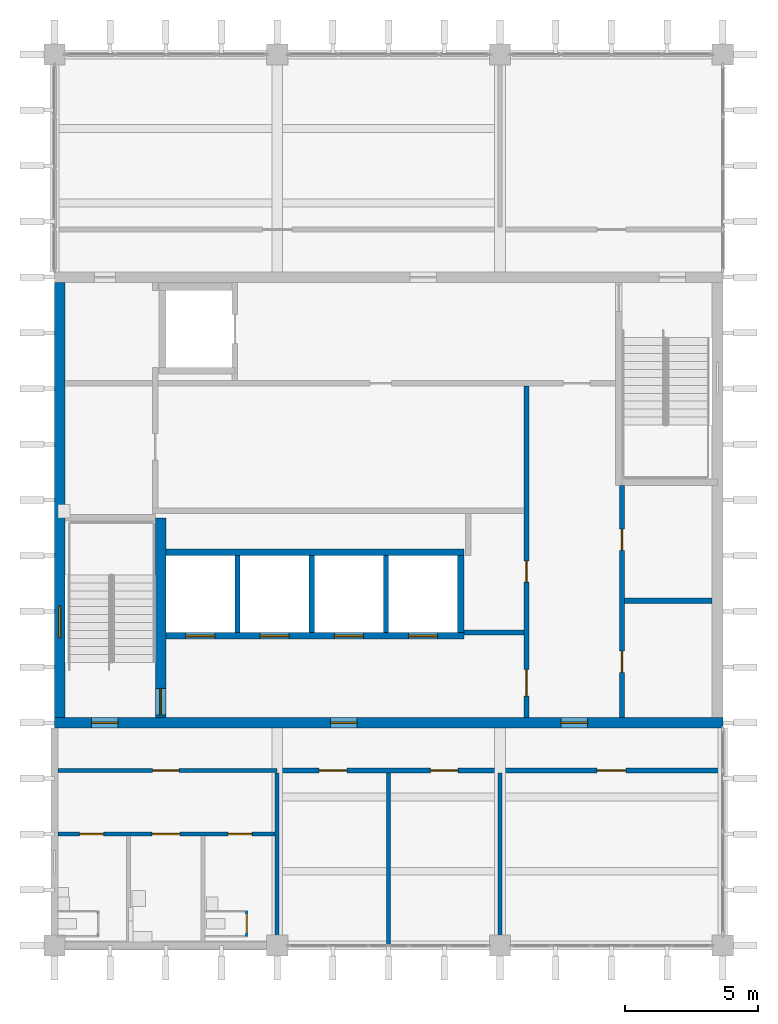
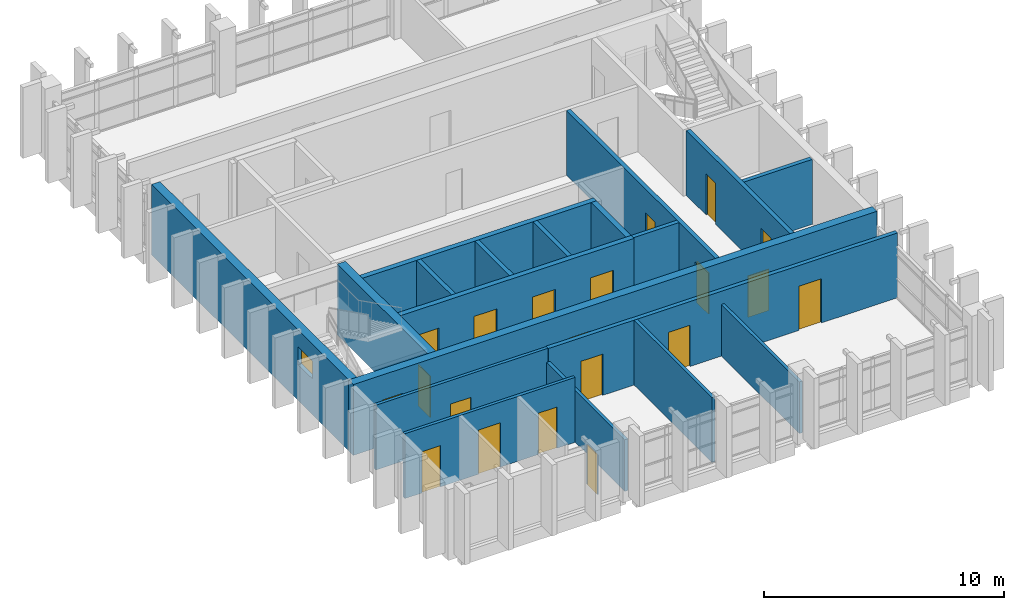
# One storey, part 7 of 11: 20 doors, 20 walls, 1 window, 21 openings.
"""IFC4 building model written with IfcOpenShell, lengths in metres."""

from ifc_helpers import new_model, si_unit, direction, frame, frame_2d, origin, place, context, subcontext, project, spatial, rectangle, extrude, material, layer, layer_set, type_object, element, fill, save


model = new_model("IFC4")

# Units and contexts
model_context = context("Model", 3, precision=1e-05, world=origin(), true_north=direction((0.0, 1.0)))
body_context = subcontext(model_context, "Body", "Model", "MODEL_VIEW")
ifc_project = project(units=[si_unit("LENGTHUNIT", "METRE"), si_unit("AREAUNIT", "SQUARE_METRE"), si_unit("VOLUMEUNIT", "CUBIC_METRE"), si_unit("PLANEANGLEUNIT", "RADIAN"), si_unit("MASSUNIT", "GRAM", prefix="KILO")], contexts=[model_context])

# Site, building, storey
site_placement = place(None, origin())
site = spatial("IfcSite", under=ifc_project, at=site_placement, CompositionType="ELEMENT")
building_placement = place(site_placement, origin())
building = spatial("IfcBuilding", under=site, at=building_placement, Name="Rulbaag Community and Learning Centre", CompositionType="ELEMENT")
storey_placement = place(building_placement, frame((0.0, 0.0, 43.199951171875)))
storey = spatial("IfcBuildingStorey", under=building, at=storey_placement, Name="L11", CompositionType="ELEMENT", Elevation=43.199951171875)

# Wall, opening, door
ifc_material_1 = material(Name="High pressure laminate", Category="wood")
ifc_layer_1 = layer(ifc_material_1, 0.0400390625)
ifc_layer_set_1 = layer_set([ifc_layer_1], Name="CP-40")
wall_type_1 = type_object("IfcWallType", Name="CP-40", PredefinedType="PARTITIONING", material=ifc_layer_set_1)
wall_1_placement = place(storey_placement, frame((150.050048828125, 84.3701171875, 0.0), z_axis=(0.0, 0.0, 1.0), x_axis=(0.0, 1.0, 0.0)))
wall_1 = element("IfcWall", 1, at=wall_1_placement, inside=storey, type_object=wall_type_1, Name="Cubicle partition", PredefinedType="PARTITIONING", context=body_context, shape_type="SweptSolid", body=[
    extrude(rectangle(XDim=0.89990234375, YDim=0.0400390625, at=frame_2d((0.449951171875, 0.0))), origin(), (0.0, 0.0, 1.0), 2.0),
])
opening_1_placement = place(wall_1_placement, frame((0.050048828125, 0.0, 0.0)))
opening_1 = element("IfcOpeningElement", 2, at=opening_1_placement, cuts=wall_1, Name="Opening L11-D012", PredefinedType="OPENING", context=body_context, shape_type="SweptSolid", body=[
    extrude(rectangle(XDim=0.800048828125, YDim=2.0, at=frame_2d((0.39990234375, 1.0))), frame((0.0, 0.030029296875, 0.0), z_axis=(0.0, -1.0, 0.0), x_axis=(1.0, 0.0, 0.0)), (0.0, 0.0, 1.0), 0.06005859375),
])
door_type_1 = type_object("IfcDoorType", Name="DC-80", OperationType="SINGLE_SWING_LEFT", PredefinedType="DOOR", material=ifc_material_1)
door_1_placement = place(opening_1_placement, origin())
door_1 = element("IfcDoor", 3, at=door_1_placement, inside=storey, type_object=door_type_1, Name="Cubicle door", OperationType="SINGLE_SWING_LEFT", OverallHeight=2.0, OverallWidth=0.800048828125, PredefinedType="DOOR", context=body_context, shape_type="SweptSolid", body=[
    extrude(rectangle(XDim=0.800048828125, YDim=2.0, at=frame_2d((0.39990234375, 1.0))), frame((0.0, 0.019775390625, 0.0), z_axis=(0.0, -1.0, 0.0), x_axis=(1.0, 0.0, 0.0)), (0.0, 0.0, 1.0), 0.03955078125),
])
fill(opening_1, door_1)

# Wall, openings, doors
ifc_material_2 = material(Name="Concrete blockwork", Category="masonry")
ifc_layer_2 = layer(ifc_material_2, 0.199951171875)
ifc_layer_set_2 = layer_set([ifc_layer_2], Name="FW-200 FIRE WALL 200")
wall_type_2 = type_object("IfcWallType", Name="FW-200 FIRE WALL 200", PredefinedType="SOLIDWALL", material=ifc_layer_set_2)
wall_2_placement = place(storey_placement, frame((151.199951171875, 90.60009765625, 0.0), z_axis=(0.0, 0.0, 1.0), x_axis=(1.0, 0.0, 0.0)))
wall_2 = element("IfcWall", 4, at=wall_2_placement, inside=storey, type_object=wall_type_2, Name="Fire wall L11 3", PredefinedType="SOLIDWALL", context=body_context, shape_type="SweptSolid", body=[
    extrude(rectangle(XDim=16.800048828125, YDim=0.199951171875, at=frame_2d((8.39990234375, 0.0))), origin(), (0.0, 0.0, 1.0), 3.300048828125),
])
opening_2_placement = place(wall_2_placement, frame((1.574951171875, 0.0, 0.0)))
opening_2 = element("IfcOpeningElement", 5, at=opening_2_placement, cuts=wall_2, Name="Opening L11-D015", PredefinedType="OPENING", context=body_context, shape_type="SweptSolid", body=[
    extrude(rectangle(XDim=1.050048828125, YDim=2.10009765625, at=frame_2d((0.52490234375, 1.050048828125))), frame((0.0, 0.10986328125, 0.0), z_axis=(0.0, -1.0, 0.0), x_axis=(1.0, 0.0, 0.0)), (0.0, 0.0, 1.0), 0.219970703125),
])
opening_3_placement = place(wall_2_placement, frame((5.77490234375, 0.0, 0.0)))
opening_3 = element("IfcOpeningElement", 6, at=opening_3_placement, cuts=wall_2, Name="Opening L11-D021", PredefinedType="OPENING", context=body_context, shape_type="SweptSolid", body=[
    extrude(rectangle(XDim=1.050048828125, YDim=2.10009765625, at=frame_2d((0.52490234375, 1.050048828125))), frame((0.0, 0.10986328125, 0.0), z_axis=(0.0, -1.0, 0.0), x_axis=(1.0, 0.0, 0.0)), (0.0, 0.0, 1.0), 0.219970703125),
])
opening_4_placement = place(wall_2_placement, frame((12.050048828125, 0.0, 0.0)))
opening_4 = element("IfcOpeningElement", 7, at=opening_4_placement, cuts=wall_2, Name="Opening L11-D026", PredefinedType="OPENING", context=body_context, shape_type="SweptSolid", body=[
    extrude(rectangle(XDim=1.10009765625, YDim=2.25, at=frame_2d((0.550048828125, 1.125))), frame((0.0, 0.10986328125, 0.0), z_axis=(0.0, -1.0, 0.0), x_axis=(1.0, 0.0, 0.0)), (0.0, 0.0, 1.0), 0.219970703125),
])
ifc_material_3 = material(Name="Timber", Category="wood")
door_type_2 = type_object("IfcDoorType", Name="D-1100 OFFICE SUITE ENTRANCE DOOR 1100 x 2250", OperationType="SINGLE_SWING_LEFT", PredefinedType="DOOR", material=ifc_material_3)
door_2_placement = place(opening_4_placement, origin())
door_2 = element("IfcDoor", 8, at=door_2_placement, inside=storey, type_object=door_type_2, Name="Door L11-D026", OperationType="SINGLE_SWING_RIGHT", OverallHeight=2.25, OverallWidth=1.10009765625, PredefinedType="DOOR", context=body_context, shape_type="SweptSolid", body=[
    extrude(rectangle(XDim=1.10009765625, YDim=2.25, at=frame_2d((0.550048828125, 1.125))), frame((0.0, 0.02490234375, 0.0), z_axis=(0.0, -1.0, 0.0), x_axis=(1.0, 0.0, 0.0)), (0.0, 0.0, 1.0), 0.050048828125),
])
fill(opening_4, door_2)
door_type_3 = type_object("IfcDoorType", Name="FD-1050 GLAZED MEETING ROOM FIRE DOOR 1050 x 2100", OperationType="SINGLE_SWING_LEFT", PredefinedType="DOOR", material=ifc_material_3)
door_3_placement = place(opening_2_placement, origin())
door_3 = element("IfcDoor", 9, at=door_3_placement, inside=storey, type_object=door_type_3, Name="Door L11-D015", OperationType="SINGLE_SWING_LEFT", OverallHeight=2.10009765625, OverallWidth=1.050048828125, PredefinedType="DOOR", context=body_context, shape_type="SweptSolid", body=[
    extrude(rectangle(XDim=1.050048828125, YDim=2.10009765625, at=frame_2d((0.52490234375, 1.050048828125))), frame((0.0, 0.02490234375, 0.0), z_axis=(0.0, -1.0, 0.0), x_axis=(1.0, 0.0, 0.0)), (0.0, 0.0, 1.0), 0.050048828125),
])
fill(opening_2, door_3)
door_4_placement = place(opening_3_placement, origin())
door_4 = element("IfcDoor", 10, at=door_4_placement, inside=storey, type_object=door_type_3, Name="Door L11-D021", OperationType="SINGLE_SWING_LEFT", OverallHeight=2.10009765625, OverallWidth=1.050048828125, PredefinedType="DOOR", context=body_context, shape_type="SweptSolid", body=[
    extrude(rectangle(XDim=1.050048828125, YDim=2.10009765625, at=frame_2d((0.52490234375, 1.050048828125))), frame((0.0, 0.02490234375, 0.0), z_axis=(0.0, -1.0, 0.0), x_axis=(1.0, 0.0, 0.0)), (0.0, 0.0, 1.0), 0.050048828125),
])
fill(opening_3, door_4)

# Walls
wall_3_placement = place(storey_placement, frame((158.25, 95.800048828125, 0.0), z_axis=(0.0, 0.0, 1.0), x_axis=(1.0, 0.0, 0.0)))
element("IfcWall", 11, at=wall_3_placement, inside=storey, type_object=wall_type_2, Name="Fire wall L11 5", PredefinedType="SOLIDWALL", context=body_context, shape_type="SweptSolid", body=[
    extrude(rectangle(XDim=2.25, YDim=0.199951171875, at=frame_2d((1.125, 0.0))), origin(), (0.0, 0.0, 1.0), 3.300048828125),
])
wall_4_placement = place(storey_placement, frame((164.300048828125, 97.0, 0.0), z_axis=(0.0, 0.0, 1.0), x_axis=(1.0, 0.0, 0.0)))
element("IfcWall", 12, at=wall_4_placement, inside=storey, type_object=wall_type_2, Name="Fire wall L11 6", PredefinedType="SOLIDWALL", context=body_context, shape_type="SweptSolid", body=[
    extrude(rectangle(XDim=3.300048828125, YDim=0.199951171875, at=frame_2d((1.64990234375, 0.0))), origin(), (0.0, 0.0, 1.0), 3.300048828125),
])

# Wall, openings, doors
wall_5_placement = place(storey_placement, frame((160.60009765625, 92.60009765625, 0.0), z_axis=(0.0, 0.0, 1.0), x_axis=(0.0, 1.0, 0.0)))
wall_5 = element("IfcWall", 13, at=wall_5_placement, inside=storey, type_object=wall_type_2, Name="Fire wall L11 21", PredefinedType="SOLIDWALL", context=body_context, shape_type="SweptSolid", body=[
    extrude(rectangle(XDim=12.5, YDim=0.199951171875, at=frame_2d((6.25, 0.0))), origin(), (0.0, 0.0, 1.0), 3.300048828125),
])
opening_5_placement = place(wall_5_placement, frame((5.10009765625, 0.0, 0.0)))
opening_5 = element("IfcOpeningElement", 14, at=opening_5_placement, cuts=wall_5, Name="Opening L11-D023", PredefinedType="OPENING", context=body_context, shape_type="SweptSolid", body=[
    extrude(rectangle(XDim=0.800048828125, YDim=2.10009765625, at=frame_2d((0.39990234375, 1.050048828125))), frame((0.0, 0.10986328125, 0.0), z_axis=(0.0, -1.0, 0.0), x_axis=(1.0, 0.0, 0.0)), (0.0, 0.0, 1.0), 0.219970703125),
])
opening_6_placement = place(wall_5_placement, frame((0.800048828125, 0.0, 0.0)))
opening_6 = element("IfcOpeningElement", 15, at=opening_6_placement, cuts=wall_5, Name="Opening L11-D022", PredefinedType="OPENING", context=body_context, shape_type="SweptSolid", body=[
    extrude(rectangle(XDim=1.0, YDim=2.10009765625, at=frame_2d((0.5, 1.050048828125))), frame((0.0, 0.10986328125, 0.0), z_axis=(0.0, -1.0, 0.0), x_axis=(1.0, 0.0, 0.0)), (0.0, 0.0, 1.0), 0.219970703125),
])
ifc_material_4 = material(Name="Galvanised steel", Category="steel")
door_type_4 = type_object("IfcDoorType", Name="FD-1000 FIRE DOOR 1000 x 2100", OperationType="SINGLE_SWING_LEFT", PredefinedType="DOOR", material=ifc_material_4)
door_5_placement = place(opening_6_placement, origin())
door_5 = element("IfcDoor", 16, at=door_5_placement, inside=storey, type_object=door_type_4, Name="Door L11-D022", OperationType="SINGLE_SWING_LEFT", OverallHeight=2.10009765625, OverallWidth=1.0, PredefinedType="DOOR", context=body_context, shape_type="SweptSolid", body=[
    extrude(rectangle(XDim=1.0, YDim=2.10009765625, at=frame_2d((0.5, 1.050048828125))), frame((0.0, 0.02490234375, 0.0), z_axis=(0.0, -1.0, 0.0), x_axis=(1.0, 0.0, 0.0)), (0.0, 0.0, 1.0), 0.050048828125),
])
fill(opening_6, door_5)
door_type_5 = type_object("IfcDoorType", Name="FDR-800 RISER FIRE DOOR 800 x 2100", OperationType="SINGLE_SWING_LEFT", PredefinedType="DOOR", material=ifc_material_4)
door_6_placement = place(opening_5_placement, origin())
door_6 = element("IfcDoor", 17, at=door_6_placement, inside=storey, type_object=door_type_5, Name="Riser door L11-D020", OperationType="SINGLE_SWING_RIGHT", OverallHeight=2.10009765625, OverallWidth=0.800048828125, PredefinedType="DOOR", context=body_context, shape_type="SweptSolid", body=[
    extrude(rectangle(XDim=0.800048828125, YDim=2.10009765625, at=frame_2d((0.39990234375, 1.050048828125))), frame((0.0, 0.02490234375, 0.0), z_axis=(0.0, -1.0, 0.0), x_axis=(1.0, 0.0, 0.0)), (0.0, 0.0, 1.0), 0.050048828125),
])
fill(opening_5, door_6)

wall_6_placement = place(storey_placement, frame((164.199951171875, 92.60009765625, 0.0), z_axis=(0.0, 0.0, 1.0), x_axis=(0.0, 1.0, 0.0)))
wall_6 = element("IfcWall", 18, at=wall_6_placement, inside=storey, type_object=wall_type_2, Name="Fire wall L11 22", PredefinedType="SOLIDWALL", context=body_context, shape_type="SweptSolid", body=[
    extrude(rectangle(XDim=8.75, YDim=0.199951171875, at=frame_2d((4.375, 0.0))), origin(), (0.0, 0.0, 1.0), 3.300048828125),
])
opening_7_placement = place(wall_6_placement, frame((1.699951171875, 0.0, 0.0)))
opening_7 = element("IfcOpeningElement", 19, at=opening_7_placement, cuts=wall_6, Name="Opening L11-D029", PredefinedType="OPENING", context=body_context, shape_type="SweptSolid", body=[
    extrude(rectangle(XDim=0.800048828125, YDim=2.10009765625, at=frame_2d((0.39990234375, 1.050048828125))), frame((0.0, 0.10986328125, 0.0), z_axis=(0.0, -1.0, 0.0), x_axis=(1.0, 0.0, 0.0)), (0.0, 0.0, 1.0), 0.219970703125),
])
opening_8_placement = place(wall_6_placement, frame((6.300048828125, 0.0, 0.0)))
opening_8 = element("IfcOpeningElement", 20, at=opening_8_placement, cuts=wall_6, Name="Opening L11-D030", PredefinedType="OPENING", context=body_context, shape_type="SweptSolid", body=[
    extrude(rectangle(XDim=0.800048828125, YDim=2.10009765625, at=frame_2d((0.39990234375, 1.050048828125))), frame((0.0, 0.10986328125, 0.0), z_axis=(0.0, -1.0, 0.0), x_axis=(1.0, 0.0, 0.0)), (0.0, 0.0, 1.0), 0.219970703125),
])
door_7_placement = place(opening_7_placement, origin())
door_7 = element("IfcDoor", 21, at=door_7_placement, inside=storey, type_object=door_type_5, Name="Riser door L11-D018", OperationType="SINGLE_SWING_LEFT", OverallHeight=2.10009765625, OverallWidth=0.800048828125, PredefinedType="DOOR", context=body_context, shape_type="SweptSolid", body=[
    extrude(rectangle(XDim=0.800048828125, YDim=2.10009765625, at=frame_2d((0.39990234375, 1.050048828125))), frame((0.0, 0.02490234375, 0.0), z_axis=(0.0, -1.0, 0.0), x_axis=(1.0, 0.0, 0.0)), (0.0, 0.0, 1.0), 0.050048828125),
])
fill(opening_7, door_7)
door_8_placement = place(opening_8_placement, origin())
door_8 = element("IfcDoor", 22, at=door_8_placement, inside=storey, type_object=door_type_5, Name="Riser door L11-D019", OperationType="SINGLE_SWING_RIGHT", OverallHeight=2.10009765625, OverallWidth=0.800048828125, PredefinedType="DOOR", context=body_context, shape_type="SweptSolid", body=[
    extrude(rectangle(XDim=0.800048828125, YDim=2.10009765625, at=frame_2d((0.39990234375, 1.050048828125))), frame((0.0, 0.02490234375, 0.0), z_axis=(0.0, -1.0, 0.0), x_axis=(1.0, 0.0, 0.0)), (0.0, 0.0, 1.0), 0.050048828125),
])
fill(opening_8, door_8)

ifc_layer_3 = layer(ifc_material_2, 0.14990234375)
ifc_layer_set_3 = layer_set([ifc_layer_3], Name="IP-150 PARTITION 150")
wall_type_3 = type_object("IfcWallType", Name="IP-150 PARTITION 150", PredefinedType="PARTITIONING", material=ifc_layer_set_3)
wall_7_placement = place(storey_placement, frame((142.925048828125, 88.199951171875, 0.0), z_axis=(0.0, 0.0, 1.0), x_axis=(1.0, 0.0, 0.0)))
wall_7 = element("IfcWall", 23, at=wall_7_placement, inside=storey, type_object=wall_type_3, Name="Partition L11 1", PredefinedType="PARTITIONING", context=body_context, shape_type="SweptSolid", body=[
    extrude(rectangle(XDim=8.199951171875, YDim=0.14990234375, at=frame_2d((4.10009765625, 0.0))), origin(), (0.0, 0.0, 1.0), 3.300048828125),
])
opening_9_placement = place(wall_7_placement, frame((0.824951171875, 0.0, 0.0)))
opening_9 = element("IfcOpeningElement", 24, at=opening_9_placement, cuts=wall_7, Name="Opening L11-D001", PredefinedType="OPENING", context=body_context, shape_type="SweptSolid", body=[
    extrude(rectangle(XDim=0.89990234375, YDim=2.10009765625, at=frame_2d((0.449951171875, 1.050048828125))), frame((0.0, 0.0849609375, 0.0), z_axis=(0.0, -1.0, 0.0), x_axis=(1.0, 0.0, 0.0)), (0.0, 0.0, 1.0), 0.169921875),
])
opening_10_placement = place(wall_7_placement, frame((3.550048828125, 0.0, 0.0)))
opening_10 = element("IfcOpeningElement", 25, at=opening_10_placement, cuts=wall_7, Name="Opening L11-D007", PredefinedType="OPENING", context=body_context, shape_type="SweptSolid", body=[
    extrude(rectangle(XDim=1.050048828125, YDim=2.25, at=frame_2d((0.52490234375, 1.125))), frame((0.0, 0.0849609375, 0.0), z_axis=(0.0, -1.0, 0.0), x_axis=(1.0, 0.0, 0.0)), (0.0, 0.0, 1.0), 0.169921875),
])
opening_11_placement = place(wall_7_placement, frame((6.425048828125, 0.0, 0.0)))
opening_11 = element("IfcOpeningElement", 26, at=opening_11_placement, cuts=wall_7, Name="Opening L11-D011", PredefinedType="OPENING", context=body_context, shape_type="SweptSolid", body=[
    extrude(rectangle(XDim=0.89990234375, YDim=2.10009765625, at=frame_2d((0.449951171875, 1.050048828125))), frame((0.0, 0.0849609375, 0.0), z_axis=(0.0, -1.0, 0.0), x_axis=(1.0, 0.0, 0.0)), (0.0, 0.0, 1.0), 0.169921875),
])
door_type_6 = type_object("IfcDoorType", Name="D-1050 ACCESSIBLE TOILET DOOR 1050 x 2250", OperationType="SINGLE_SWING_LEFT", PredefinedType="DOOR", material=ifc_material_3)
door_9_placement = place(opening_10_placement, origin())
door_9 = element("IfcDoor", 27, at=door_9_placement, inside=storey, type_object=door_type_6, Name="Door L11-D007", OperationType="SINGLE_SWING_LEFT", OverallHeight=2.25, OverallWidth=1.050048828125, PredefinedType="DOOR", context=body_context, shape_type="SweptSolid", body=[
    extrude(rectangle(XDim=1.050048828125, YDim=2.25, at=frame_2d((0.52490234375, 1.125))), frame((0.0, 0.02490234375, 0.0), z_axis=(0.0, -1.0, 0.0), x_axis=(1.0, 0.0, 0.0)), (0.0, 0.0, 1.0), 0.050048828125),
])
fill(opening_10, door_9)
door_type_7 = type_object("IfcDoorType", Name="DW-900 TOILET DOOR 900 x 2100", OperationType="SINGLE_SWING_LEFT", PredefinedType="DOOR", material=ifc_material_3)
door_10_placement = place(opening_9_placement, origin())
door_10 = element("IfcDoor", 28, at=door_10_placement, inside=storey, type_object=door_type_7, Name="Door L11-D001", OperationType="SINGLE_SWING_LEFT", OverallHeight=2.10009765625, OverallWidth=0.89990234375, PredefinedType="DOOR", context=body_context, shape_type="SweptSolid", body=[
    extrude(rectangle(XDim=0.89990234375, YDim=2.10009765625, at=frame_2d((0.449951171875, 1.050048828125))), frame((0.0, 0.02490234375, 0.0), z_axis=(0.0, -1.0, 0.0), x_axis=(1.0, 0.0, 0.0)), (0.0, 0.0, 1.0), 0.050048828125),
])
fill(opening_9, door_10)
door_11_placement = place(opening_11_placement, origin())
door_11 = element("IfcDoor", 29, at=door_11_placement, inside=storey, type_object=door_type_7, Name="Door L11-D011", OperationType="SINGLE_SWING_RIGHT", OverallHeight=2.10009765625, OverallWidth=0.89990234375, PredefinedType="DOOR", context=body_context, shape_type="SweptSolid", body=[
    extrude(rectangle(XDim=0.89990234375, YDim=2.10009765625, at=frame_2d((0.449951171875, 1.050048828125))), frame((0.0, 0.02490234375, 0.0), z_axis=(0.0, -1.0, 0.0), x_axis=(1.0, 0.0, 0.0)), (0.0, 0.0, 1.0), 0.050048828125),
])
fill(opening_11, door_11)

# Wall, opening, door
wall_8_placement = place(storey_placement, frame((142.925048828125, 90.60009765625, 0.0), z_axis=(0.0, 0.0, 1.0), x_axis=(1.0, 0.0, 0.0)))
wall_8 = element("IfcWall", 30, at=wall_8_placement, inside=storey, type_object=wall_type_3, Name="Partition L11 2", PredefinedType="PARTITIONING", context=body_context, shape_type="SweptSolid", body=[
    extrude(rectangle(XDim=8.27490234375, YDim=0.14990234375, at=frame_2d((4.137451171875, 0.0))), origin(), (0.0, 0.0, 1.0), 3.300048828125),
])
opening_12_placement = place(wall_8_placement, frame((3.574951171875, 0.0, 0.0)))
opening_12 = element("IfcOpeningElement", 31, at=opening_12_placement, cuts=wall_8, Name="Opening L11-D008", PredefinedType="OPENING", context=body_context, shape_type="SweptSolid", body=[
    extrude(rectangle(XDim=1.0, YDim=2.10009765625, at=frame_2d((0.5, 1.050048828125))), frame((0.0, 0.0849609375, 0.0), z_axis=(0.0, -1.0, 0.0), x_axis=(1.0, 0.0, 0.0)), (0.0, 0.0, 1.0), 0.169921875),
])
door_type_8 = type_object("IfcDoorType", Name="D-1000 DOOR 1000 x 2100", OperationType="SINGLE_SWING_LEFT", PredefinedType="DOOR", material=ifc_material_3)
door_12_placement = place(opening_12_placement, origin())
door_12 = element("IfcDoor", 32, at=door_12_placement, inside=storey, type_object=door_type_8, Name="Door L11-D008", OperationType="SINGLE_SWING_RIGHT", OverallHeight=2.10009765625, OverallWidth=1.0, PredefinedType="DOOR", context=body_context, shape_type="SweptSolid", body=[
    extrude(rectangle(XDim=1.0, YDim=2.10009765625, at=frame_2d((0.5, 1.050048828125))), frame((0.0, 0.02490234375, 0.0), z_axis=(0.0, -1.0, 0.0), x_axis=(1.0, 0.0, 0.0)), (0.0, 0.0, 1.0), 0.050048828125),
])
fill(opening_12, door_12)

# Walls
wall_9_placement = place(storey_placement, frame((151.199951171875, 84.0, 0.0), z_axis=(0.0, 0.0, 1.0), x_axis=(0.0, 1.0, 0.0)))
element("IfcWall", 33, at=wall_9_placement, inside=storey, type_object=wall_type_3, Name="Partition L11 16", PredefinedType="PARTITIONING", context=body_context, shape_type="SweptSolid", body=[
    extrude(rectangle(XDim=6.5, YDim=0.14990234375, at=frame_2d((3.25, 0.0))), origin(), (0.0, 0.0, 1.0), 2.625),
])
wall_10_placement = place(storey_placement, frame((155.39990234375, 84.0, 0.0), z_axis=(0.0, 0.0, 1.0), x_axis=(0.0, 1.0, 0.0)))
element("IfcWall", 34, at=wall_10_placement, inside=storey, type_object=wall_type_3, Name="Partition L11 17", PredefinedType="PARTITIONING", context=body_context, shape_type="SweptSolid", body=[
    extrude(rectangle(XDim=6.5, YDim=0.14990234375, at=frame_2d((3.25, 0.0))), origin(), (0.0, 0.0, 1.0), 3.300048828125),
])
wall_11_placement = place(storey_placement, frame((159.60009765625, 84.0, 0.0), z_axis=(0.0, 0.0, 1.0), x_axis=(0.0, 1.0, 0.0)))
element("IfcWall", 35, at=wall_11_placement, inside=storey, type_object=wall_type_3, Name="Partition L11 19", PredefinedType="PARTITIONING", context=body_context, shape_type="SweptSolid", body=[
    extrude(rectangle(XDim=6.5, YDim=0.14990234375, at=frame_2d((3.25, 0.0))), origin(), (0.0, 0.0, 1.0), 2.625),
])

# Wall, openings, doors
ifc_material_5 = material(Name="Concrete M60", Category="concrete")
ifc_layer_4 = layer(ifc_material_5, 0.39990234375)
ifc_layer_set_4 = layer_set([ifc_layer_4], Name="W2 Core wall 400 Concrete M60")
wall_type_4 = type_object("IfcWallType", Name="W2 Core wall 400 Concrete M60", PredefinedType="SHEAR", material=ifc_layer_set_4)
wall_12_placement = place(storey_placement, frame((142.800048828125, 92.39990234375, -0.224853515625), z_axis=(0.0, 0.0, 1.0), x_axis=(1.0, 0.0, 0.0)))
wall_12 = element("IfcWall", 36, at=wall_12_placement, inside=storey, type_object=wall_type_4, Name="WL-CORE-S-L11", PredefinedType="SHEAR", context=body_context, shape_type="SweptSolid", body=[
    extrude(rectangle(XDim=25.199951171875, YDim=0.39990234375, at=frame_2d((12.60009765625, 0.0))), origin(), (0.0, 0.0, 1.0), 3.599853515625),
])
opening_13_placement = place(wall_12_placement, frame((1.39990234375, 0.0, 0.22509765625)))
opening_13 = element("IfcOpeningElement", 37, at=opening_13_placement, cuts=wall_12, Name="Opening L11-D003", PredefinedType="OPENING", context=body_context, shape_type="SweptSolid", body=[
    extrude(rectangle(XDim=1.0, YDim=2.10009765625, at=frame_2d((0.5, 1.050048828125))), frame((0.0, 0.2099609375, 0.0), z_axis=(0.0, -1.0, 0.0), x_axis=(1.0, 0.0, 0.0)), (0.0, 0.0, 1.0), 0.419921875),
])
opening_14_placement = place(wall_12_placement, frame((19.10009765625, 0.0, 0.22509765625)))
opening_14 = element("IfcOpeningElement", 38, at=opening_14_placement, cuts=wall_12, Name="Opening L11-D024", PredefinedType="OPENING", context=body_context, shape_type="SweptSolid", body=[
    extrude(rectangle(XDim=1.0, YDim=2.10009765625, at=frame_2d((0.5, 1.050048828125))), frame((0.0, 0.2099609375, 0.0), z_axis=(0.0, -1.0, 0.0), x_axis=(1.0, 0.0, 0.0)), (0.0, 0.0, 1.0), 0.419921875),
])
opening_15_placement = place(wall_12_placement, frame((10.39990234375, 0.0, 0.22509765625)))
opening_15 = element("IfcOpeningElement", 39, at=opening_15_placement, cuts=wall_12, Name="Opening L11-D016", PredefinedType="OPENING", context=body_context, shape_type="SweptSolid", body=[
    extrude(rectangle(XDim=1.0, YDim=2.10009765625, at=frame_2d((0.5, 1.050048828125))), frame((0.0, 0.2099609375, 0.0), z_axis=(0.0, -1.0, 0.0), x_axis=(1.0, 0.0, 0.0)), (0.0, 0.0, 1.0), 0.419921875),
])
door_13_placement = place(opening_14_placement, origin())
door_13 = element("IfcDoor", 40, at=door_13_placement, inside=storey, type_object=door_type_8, Name="Door L11-D024", OperationType="SINGLE_SWING_LEFT", OverallHeight=2.10009765625, OverallWidth=1.0, PredefinedType="DOOR", context=body_context, shape_type="SweptSolid", body=[
    extrude(rectangle(XDim=1.0, YDim=2.10009765625, at=frame_2d((0.5, 1.050048828125))), frame((0.0, 0.02490234375, 0.0), z_axis=(0.0, -1.0, 0.0), x_axis=(1.0, 0.0, 0.0)), (0.0, 0.0, 1.0), 0.050048828125),
])
fill(opening_14, door_13)
door_14_placement = place(opening_13_placement, origin())
door_14 = element("IfcDoor", 41, at=door_14_placement, inside=storey, type_object=door_type_4, Name="Door L11-D003", OperationType="SINGLE_SWING_RIGHT", OverallHeight=2.10009765625, OverallWidth=1.0, PredefinedType="DOOR", context=body_context, shape_type="SweptSolid", body=[
    extrude(rectangle(XDim=1.0, YDim=2.10009765625, at=frame_2d((0.5, 1.050048828125))), frame((0.0, 0.02490234375, 0.0), z_axis=(0.0, -1.0, 0.0), x_axis=(1.0, 0.0, 0.0)), (0.0, 0.0, 1.0), 0.050048828125),
])
fill(opening_13, door_14)
door_15_placement = place(opening_15_placement, origin())
door_15 = element("IfcDoor", 42, at=door_15_placement, inside=storey, type_object=door_type_4, Name="Door L11-D016", OperationType="SINGLE_SWING_RIGHT", OverallHeight=2.10009765625, OverallWidth=1.0, PredefinedType="DOOR", context=body_context, shape_type="SweptSolid", body=[
    extrude(rectangle(XDim=1.0, YDim=2.10009765625, at=frame_2d((0.5, 1.050048828125))), frame((0.0, 0.02490234375, 0.0), z_axis=(0.0, -1.0, 0.0), x_axis=(1.0, 0.0, 0.0)), (0.0, 0.0, 1.0), 0.050048828125),
])
fill(opening_15, door_15)

# Wall, opening, window
wall_13_placement = place(storey_placement, frame((143.0, 92.60009765625, -0.224853515625), z_axis=(0.0, 0.0, 1.0), x_axis=(0.0, 1.0, 0.0)))
wall_13 = element("IfcWall", 43, at=wall_13_placement, inside=storey, type_object=wall_type_4, Name="WL-CORE-W-L11", PredefinedType="SHEAR", context=body_context, shape_type="SweptSolid", body=[
    extrude(rectangle(XDim=16.39990234375, YDim=0.39990234375, at=frame_2d((8.199951171875, 0.0))), origin(), (0.0, 0.0, 1.0), 3.599853515625),
])
opening_16_placement = place(wall_13_placement, frame((3.0, 0.0, 1.824951171875)))
opening_16 = element("IfcOpeningElement", 44, at=opening_16_placement, cuts=wall_13, Name="Opening WN19", PredefinedType="OPENING", context=body_context, shape_type="SweptSolid", body=[
    extrude(rectangle(XDim=1.199951171875, YDim=0.89990234375, at=frame_2d((0.60009765625, 0.449951171875))), frame((0.0, 0.2099609375, 0.0), z_axis=(0.0, -1.0, 0.0), x_axis=(1.0, 0.0, 0.0)), (0.0, 0.0, 1.0), 0.419921875),
])
ifc_material_6 = material(Name="Aluminium", Category="aluminium")
window_type = type_object("IfcWindowType", Name="WS-12", PartitioningType="SINGLE_PANEL", PredefinedType="WINDOW", material=ifc_material_6)
window_placement = place(opening_16_placement, origin())
window = element("IfcWindow", 45, at=window_placement, inside=storey, type_object=window_type, Name="Stair window", OverallHeight=0.89990234375, OverallWidth=1.199951171875, PartitioningType="SINGLE_PANEL", PredefinedType="WINDOW", context=body_context, shape_type="SweptSolid", body=[
    extrude(rectangle(XDim=1.199951171875, YDim=0.89990234375, at=frame_2d((0.60009765625, 0.449951171875))), frame((0.0, 0.030029296875, 0.0), z_axis=(0.0, -1.0, 0.0), x_axis=(1.0, 0.0, 0.0)), (0.0, 0.0, 1.0), 0.06005859375),
])
fill(opening_16, window)

# Wall, openings, doors
ifc_material_7 = material(Name="Concrete M40", Category="concrete")
ifc_layer_5 = layer(ifc_material_7, 0.25)
ifc_layer_set_5 = layer_set([ifc_layer_5], Name="W5 Shaft wall 250 Concrete M40")
wall_type_5 = type_object("IfcWallType", Name="W5 Shaft wall 250 Concrete M40", PredefinedType="SHEAR", material=ifc_layer_set_5)
wall_14_placement = place(storey_placement, frame((147.0, 95.675048828125, -0.224853515625), z_axis=(0.0, 0.0, 1.0), x_axis=(1.0, 0.0, 0.0)))
wall_14 = element("IfcWall", 46, at=wall_14_placement, inside=storey, type_object=wall_type_5, Name="WL-LP-S-L11", PredefinedType="SHEAR", context=body_context, shape_type="SweptSolid", body=[
    extrude(rectangle(XDim=11.25, YDim=0.25, at=frame_2d((5.625, 0.0))), origin(), (0.0, 0.0, 1.0), 3.599853515625),
])
opening_17_placement = place(wall_14_placement, frame((0.75, 0.0, 0.22509765625)))
opening_17 = element("IfcOpeningElement", 47, at=opening_17_placement, cuts=wall_14, Name="Opening L11-D009", PredefinedType="OPENING", context=body_context, shape_type="SweptSolid", body=[
    extrude(rectangle(XDim=1.10009765625, YDim=2.10009765625, at=frame_2d((0.550048828125, 1.050048828125))), frame((0.0, 0.135009765625, 0.0), z_axis=(0.0, -1.0, 0.0), x_axis=(1.0, 0.0, 0.0)), (0.0, 0.0, 1.0), 0.27001953125),
])
opening_18_placement = place(wall_14_placement, frame((3.550048828125, 0.0, 0.22509765625)))
opening_18 = element("IfcOpeningElement", 48, at=opening_18_placement, cuts=wall_14, Name="Opening L11-D013", PredefinedType="OPENING", context=body_context, shape_type="SweptSolid", body=[
    extrude(rectangle(XDim=1.10009765625, YDim=2.10009765625, at=frame_2d((0.550048828125, 1.050048828125))), frame((0.0, 0.135009765625, 0.0), z_axis=(0.0, -1.0, 0.0), x_axis=(1.0, 0.0, 0.0)), (0.0, 0.0, 1.0), 0.27001953125),
])
opening_19_placement = place(wall_14_placement, frame((6.35009765625, 0.0, 0.22509765625)))
opening_19 = element("IfcOpeningElement", 49, at=opening_19_placement, cuts=wall_14, Name="Opening L11-D017", PredefinedType="OPENING", context=body_context, shape_type="SweptSolid", body=[
    extrude(rectangle(XDim=1.10009765625, YDim=2.10009765625, at=frame_2d((0.550048828125, 1.050048828125))), frame((0.0, 0.135009765625, 0.0), z_axis=(0.0, -1.0, 0.0), x_axis=(1.0, 0.0, 0.0)), (0.0, 0.0, 1.0), 0.27001953125),
])
opening_20_placement = place(wall_14_placement, frame((9.14990234375, 0.0, 0.22509765625)))
opening_20 = element("IfcOpeningElement", 50, at=opening_20_placement, cuts=wall_14, Name="Opening L11-D019", PredefinedType="OPENING", context=body_context, shape_type="SweptSolid", body=[
    extrude(rectangle(XDim=1.10009765625, YDim=2.10009765625, at=frame_2d((0.550048828125, 1.050048828125))), frame((0.0, 0.135009765625, 0.0), z_axis=(0.0, -1.0, 0.0), x_axis=(1.0, 0.0, 0.0)), (0.0, 0.0, 1.0), 0.27001953125),
])
ifc_material_8 = material(Name="Stainless steel grade 304", Category="steel")
door_type_9 = type_object("IfcDoorType", Name="LD-1100 LIFT LANDING DOOR 1100 x 2100", OperationType="SLIDING_TO_LEFT", PredefinedType="DOOR", material=ifc_material_8)
door_16_placement = place(opening_17_placement, origin())
door_16 = element("IfcDoor", 51, at=door_16_placement, inside=storey, type_object=door_type_9, Name="Lift landing door LP1 L11", OperationType="SLIDING_TO_LEFT", OverallHeight=2.10009765625, OverallWidth=1.10009765625, PredefinedType="DOOR", context=body_context, shape_type="SweptSolid", body=[
    extrude(rectangle(XDim=1.10009765625, YDim=2.10009765625, at=frame_2d((0.550048828125, 1.050048828125))), frame((0.0, 0.02490234375, 0.0), z_axis=(0.0, -1.0, 0.0), x_axis=(1.0, 0.0, 0.0)), (0.0, 0.0, 1.0), 0.050048828125),
])
fill(opening_17, door_16)
door_17_placement = place(opening_18_placement, origin())
door_17 = element("IfcDoor", 52, at=door_17_placement, inside=storey, type_object=door_type_9, Name="Lift landing door LP2 L11", OperationType="SLIDING_TO_LEFT", OverallHeight=2.10009765625, OverallWidth=1.10009765625, PredefinedType="DOOR", context=body_context, shape_type="SweptSolid", body=[
    extrude(rectangle(XDim=1.10009765625, YDim=2.10009765625, at=frame_2d((0.550048828125, 1.050048828125))), frame((0.0, 0.02490234375, 0.0), z_axis=(0.0, -1.0, 0.0), x_axis=(1.0, 0.0, 0.0)), (0.0, 0.0, 1.0), 0.050048828125),
])
fill(opening_18, door_17)
door_18_placement = place(opening_19_placement, origin())
door_18 = element("IfcDoor", 53, at=door_18_placement, inside=storey, type_object=door_type_9, Name="Lift landing door LP3 L11", OperationType="SLIDING_TO_LEFT", OverallHeight=2.10009765625, OverallWidth=1.10009765625, PredefinedType="DOOR", context=body_context, shape_type="SweptSolid", body=[
    extrude(rectangle(XDim=1.10009765625, YDim=2.10009765625, at=frame_2d((0.550048828125, 1.050048828125))), frame((0.0, 0.02490234375, 0.0), z_axis=(0.0, -1.0, 0.0), x_axis=(1.0, 0.0, 0.0)), (0.0, 0.0, 1.0), 0.050048828125),
])
fill(opening_19, door_18)
door_19_placement = place(opening_20_placement, origin())
door_19 = element("IfcDoor", 54, at=door_19_placement, inside=storey, type_object=door_type_9, Name="Lift landing door LP4 L11", OperationType="SLIDING_TO_LEFT", OverallHeight=2.10009765625, OverallWidth=1.10009765625, PredefinedType="DOOR", context=body_context, shape_type="SweptSolid", body=[
    extrude(rectangle(XDim=1.10009765625, YDim=2.10009765625, at=frame_2d((0.550048828125, 1.050048828125))), frame((0.0, 0.02490234375, 0.0), z_axis=(0.0, -1.0, 0.0), x_axis=(1.0, 0.0, 0.0)), (0.0, 0.0, 1.0), 0.050048828125),
])
fill(opening_20, door_19)

# Walls
wall_15_placement = place(storey_placement, frame((147.0, 98.824951171875, -0.224853515625), z_axis=(0.0, 0.0, 1.0), x_axis=(1.0, 0.0, 0.0)))
element("IfcWall", 55, at=wall_15_placement, inside=storey, type_object=wall_type_5, Name="WL-LP-N-L11", PredefinedType="SHEAR", context=body_context, shape_type="SweptSolid", body=[
    extrude(rectangle(XDim=11.25, YDim=0.25, at=frame_2d((5.625, 0.0))), origin(), (0.0, 0.0, 1.0), 3.599853515625),
])
wall_16_placement = place(storey_placement, frame((158.125, 95.800048828125, -0.224853515625), z_axis=(0.0, 0.0, 1.0), x_axis=(0.0, 1.0, 0.0)))
element("IfcWall", 56, at=wall_16_placement, inside=storey, type_object=wall_type_5, Name="WL-LP-E-L11", PredefinedType="SHEAR", context=body_context, shape_type="SweptSolid", body=[
    extrude(rectangle(XDim=2.89990234375, YDim=0.25, at=frame_2d((1.449951171875, 0.0))), origin(), (0.0, 0.0, 1.0), 3.599853515625),
])
ifc_layer_6 = layer(ifc_material_7, 0.199951171875)
ifc_layer_set_6 = layer_set([ifc_layer_6], Name="W6 Shaft divider 200 Concrete M40")
wall_type_6 = type_object("IfcWallType", Name="W6 Shaft divider 200 Concrete M40", PredefinedType="SHEAR", material=ifc_layer_set_6)
for number, where, z_axis, x_axis, name in (
    (57, (149.699951171875, 95.800048828125, -0.224853515625), (0.0, 0.0, 1.0), (0.0, 1.0, 0.0), "WL-LP-D1-L11"),
    (58, (152.5, 95.800048828125, -0.224853515625), (0.0, 0.0, 1.0), (0.0, 1.0, 0.0), "WL-LP-D2-L11"),
    (59, (155.300048828125, 95.800048828125, -0.224853515625), (0.0, 0.0, 1.0), (0.0, 1.0, 0.0), "WL-LP-D3-L11"),
):
    element("IfcWall", number, at=place(storey_placement, frame(where, z_axis=z_axis, x_axis=x_axis)), inside=storey, type_object=wall_type_6, Name=name, PredefinedType="SHEAR", context=body_context, shape_type="SweptSolid", body=[
        extrude(rectangle(XDim=2.89990234375, YDim=0.199951171875, at=frame_2d((1.449951171875, 0.0))), origin(), (0.0, 0.0, 1.0), 3.599853515625),
    ])

# Wall, opening, door
ifc_layer_7 = layer(ifc_material_7, 0.39990234375)
ifc_layer_set_7 = layer_set([ifc_layer_7], Name="W7 Stair wall 400 Concrete M40")
wall_type_7 = type_object("IfcWallType", Name="W7 Stair wall 400 Concrete M40", PredefinedType="SHEAR", material=ifc_layer_set_7)
wall_17_placement = place(storey_placement, frame((146.800048828125, 92.60009765625, -0.224853515625), z_axis=(0.0, 0.0, 1.0), x_axis=(0.0, 1.0, 0.0)))
wall_17 = element("IfcWall", 60, at=wall_17_placement, inside=storey, type_object=wall_type_7, Name="WL-ST1-E-L11", PredefinedType="SHEAR", context=body_context, shape_type="SweptSolid", body=[
    extrude(rectangle(XDim=7.52490234375, YDim=0.39990234375, at=frame_2d((3.762451171875, 0.0))), origin(), (0.0, 0.0, 1.0), 3.599853515625),
])
opening_21_placement = place(wall_17_placement, frame((0.10009765625, 0.0, 0.22509765625)))
opening_21 = element("IfcOpeningElement", 61, at=opening_21_placement, cuts=wall_17, Name="Opening L11-D006", PredefinedType="OPENING", context=body_context, shape_type="SweptSolid", body=[
    extrude(rectangle(XDim=1.0, YDim=2.10009765625, at=frame_2d((0.5, 1.050048828125))), frame((0.0, 0.2099609375, 0.0), z_axis=(0.0, -1.0, 0.0), x_axis=(1.0, 0.0, 0.0)), (0.0, 0.0, 1.0), 0.419921875),
])
door_20_placement = place(opening_21_placement, origin())
door_20 = element("IfcDoor", 62, at=door_20_placement, inside=storey, type_object=door_type_4, Name="Door L11-D006", OperationType="SINGLE_SWING_RIGHT", OverallHeight=2.10009765625, OverallWidth=1.0, PredefinedType="DOOR", context=body_context, shape_type="SweptSolid", body=[
    extrude(rectangle(XDim=1.0, YDim=2.10009765625, at=frame_2d((0.5, 1.050048828125))), frame((0.0, 0.02490234375, 0.0), z_axis=(0.0, -1.0, 0.0), x_axis=(1.0, 0.0, 0.0)), (0.0, 0.0, 1.0), 0.050048828125),
])
fill(opening_21, door_20)

save(model, "model.ifc")
